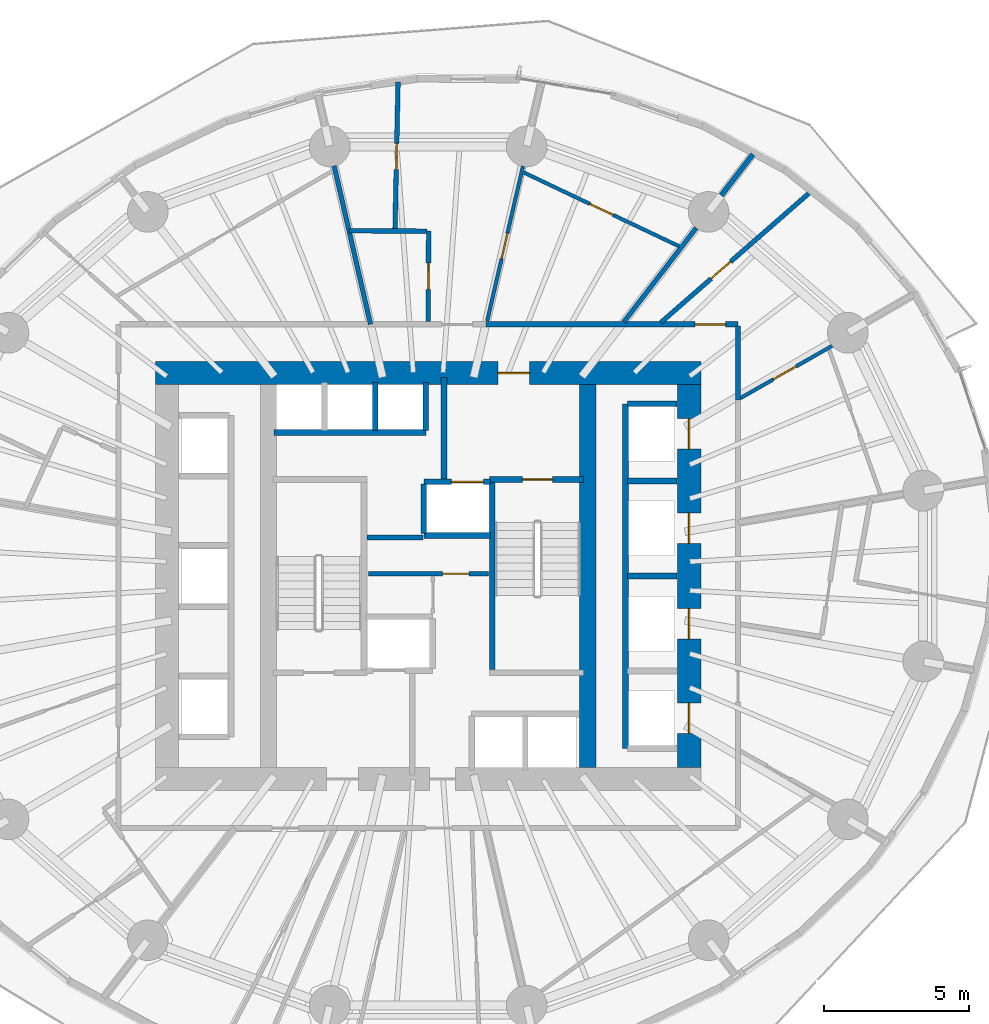
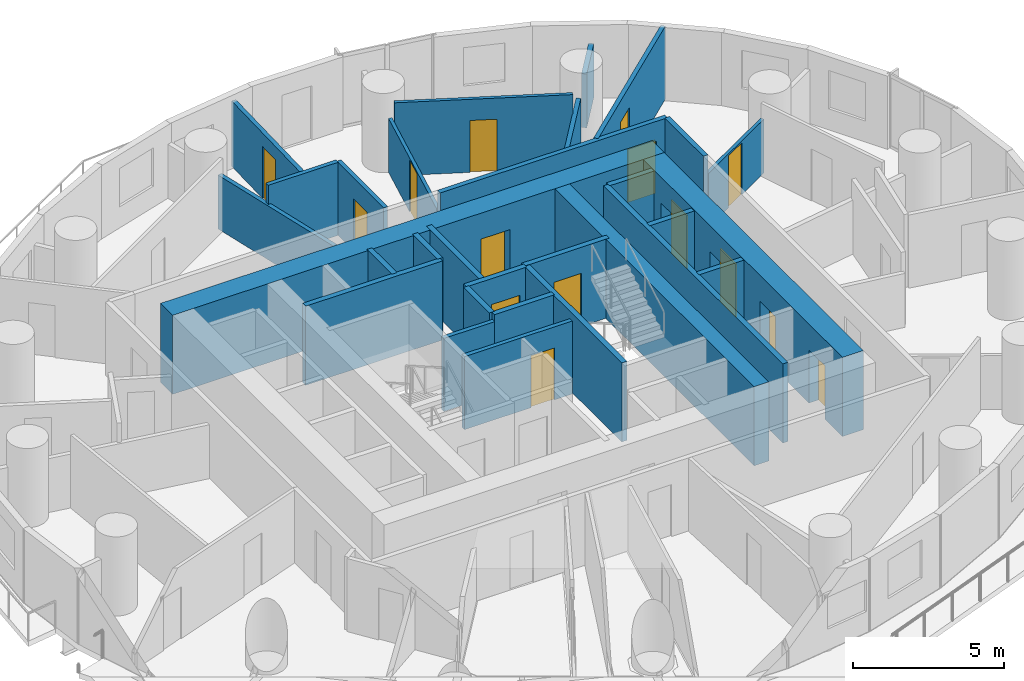
# One storey, part 7 of 13: 30 walls, 15 doors, 15 openings.
"""IFC4 building model written with IfcOpenShell, lengths in metres."""

from ifc_helpers import new_model, si_unit, direction, frame, frame_2d, origin, place, context, subcontext, project, spatial, rectangle, extrude, material, layer, layer_set, type_object, element, fill, save


model = new_model("IFC4")

# Units and contexts
model_context = context("Model", 3, precision=1e-05, world=origin(), true_north=direction((0.0, 1.0)))
body_context = subcontext(model_context, "Body", "Model", "MODEL_VIEW")
ifc_project = project(units=[si_unit("LENGTHUNIT", "METRE"), si_unit("AREAUNIT", "SQUARE_METRE"), si_unit("VOLUMEUNIT", "CUBIC_METRE"), si_unit("PLANEANGLEUNIT", "RADIAN"), si_unit("MASSUNIT", "GRAM", prefix="KILO")], contexts=[model_context])

# Site, building, storey
site_placement = place(None, origin())
site = spatial("IfcSite", under=ifc_project, at=site_placement, CompositionType="ELEMENT")
building_placement = place(site_placement, origin())
building = spatial("IfcBuilding", under=site, at=building_placement, Name="Veldorim Arch Residences", CompositionType="ELEMENT")
storey_placement = place(building_placement, frame((0.0, 0.0, 56.800048828125)))
storey = spatial("IfcBuildingStorey", under=building, at=storey_placement, Name="L16", CompositionType="ELEMENT", Elevation=56.800048828125)

# Wall, opening, door
ifc_material_1 = material(Name="Acoustic Gypsum Board", Category="gypsum")
ifc_layer_1 = layer(ifc_material_1, 0.125, Name="Acoustic Stud Room Partition Wall 125")
ifc_layer_set_1 = layer_set([ifc_layer_1], Name="Acoustic Gypsum Board")
wall_type_1 = type_object("IfcWallType", Name="Acoustic Stud Room Partition Wall 125", PredefinedType="PARTITIONING", material=ifc_layer_set_1)
wall_1_placement = place(storey_placement, frame((45.92529296875, 31.935546875, 0.0), z_axis=(0.0, 0.0, 1.0), x_axis=(-0.868837650683, -0.49509709831, 0.0)))
wall_1 = element("IfcWall", 1, at=wall_1_placement, inside=storey, type_object=wall_type_1, Name="L16 interior wall WL-RES-L16-024", PredefinedType="PARTITIONING", context=body_context, shape_type="SweptSolid", body=[
    extrude(rectangle(XDim=3.63525390625, YDim=0.125, at=frame_2d((1.817626953125, 0.0))), origin(), (0.0, 0.0, 1.0), 2.17822265625),
])
opening_1_placement = place(wall_1_placement, frame((1.42822265625, 0.0, 0.0)))
opening_1 = element("IfcOpeningElement", 2, at=opening_1_placement, cuts=wall_1, Name="Opening DR-INT", PredefinedType="OPENING", context=body_context, shape_type="SweptSolid", body=[
    extrude(rectangle(XDim=0.89990234375, YDim=2.10009765625, at=frame_2d((0.449951171875, 1.050048828125))), frame((0.0, 0.072509765625, 0.0), z_axis=(0.0, -1.0, 0.0), x_axis=(1.0, 0.0, 0.0)), (0.0, 0.0, 1.0), 0.14501953125),
])
ifc_material_2 = material(Name="Engineered Timber", Category="wood")
door_type_1 = type_object("IfcDoorType", Name="Apartment Internal Room Timber Door 900x2100", OperationType="SINGLE_SWING_LEFT", PredefinedType="DOOR", material=ifc_material_2)
door_1_placement = place(opening_1_placement, origin())
door_1 = element("IfcDoor", 3, at=door_1_placement, inside=storey, type_object=door_type_1, Name="L16 interior door DR-RES-L16-013", OperationType="SINGLE_SWING_LEFT", OverallHeight=2.10009765625, OverallWidth=0.89990234375, PredefinedType="DOOR", context=body_context, shape_type="SweptSolid", body=[
    extrude(rectangle(XDim=0.89990234375, YDim=2.10009765625, at=frame_2d((0.449951171875, 1.050048828125))), frame((0.0, 0.02490234375, 0.0), z_axis=(0.0, -1.0, 0.0), x_axis=(1.0, 0.0, 0.0)), (0.0, 0.0, 1.0), 0.050048828125),
])
fill(opening_1, door_1)

wall_2_placement = place(storey_placement, frame((35.269775390625, 38.131591796875, 0.0), z_axis=(0.0, 0.0, 1.0), x_axis=(-0.225429323741, -0.974259523945, 0.0)))
wall_2 = element("IfcWall", 4, at=wall_2_placement, inside=storey, type_object=wall_type_1, Name="L16 interior wall WL-RES-L16-028", PredefinedType="PARTITIONING", context=body_context, shape_type="SweptSolid", body=[
    extrude(rectangle(XDim=5.4755859375, YDim=0.125, at=frame_2d((2.73779296875, 0.0))), origin(), (0.0, 0.0, 1.0), 2.17822265625),
])
opening_2_placement = place(wall_2_placement, frame((2.373291015625, 0.0, 0.0)))
opening_2 = element("IfcOpeningElement", 5, at=opening_2_placement, cuts=wall_2, Name="Opening DR-INT", PredefinedType="OPENING", context=body_context, shape_type="SweptSolid", body=[
    extrude(rectangle(XDim=0.89990234375, YDim=2.10009765625, at=frame_2d((0.449951171875, 1.050048828125))), frame((0.0, 0.072509765625, 0.0), z_axis=(0.0, -1.0, 0.0), x_axis=(1.0, 0.0, 0.0)), (0.0, 0.0, 1.0), 0.14501953125),
])
door_2_placement = place(opening_2_placement, origin())
door_2 = element("IfcDoor", 6, at=door_2_placement, inside=storey, type_object=door_type_1, Name="L16 interior door DR-RES-L16-017", OperationType="SINGLE_SWING_LEFT", OverallHeight=2.10009765625, OverallWidth=0.89990234375, PredefinedType="DOOR", context=body_context, shape_type="SweptSolid", body=[
    extrude(rectangle(XDim=0.89990234375, YDim=2.10009765625, at=frame_2d((0.449951171875, 1.050048828125))), frame((0.0, 0.02490234375, 0.0), z_axis=(0.0, -1.0, 0.0), x_axis=(1.0, 0.0, 0.0)), (0.0, 0.0, 1.0), 0.050048828125),
])
fill(opening_2, door_2)

wall_3_placement = place(storey_placement, frame((35.299072265625, 37.911376953125, 0.0), z_axis=(0.0, 0.0, 1.0), x_axis=(0.903280297513, -0.429050934185, 0.0)))
wall_3 = element("IfcWall", 7, at=wall_3_placement, inside=storey, type_object=wall_type_1, Name="L16 interior wall WL-RES-L16-032", PredefinedType="PARTITIONING", context=body_context, shape_type="SweptSolid", body=[
    extrude(rectangle(XDim=5.927978515625, YDim=0.125, at=frame_2d((2.9638671875, 0.0))), origin(), (0.0, 0.0, 1.0), 2.954833984375),
])
opening_3_placement = place(wall_3_placement, frame((2.51416015625, 0.0, 0.0)))
opening_3 = element("IfcOpeningElement", 8, at=opening_3_placement, cuts=wall_3, Name="Opening DR-INT", PredefinedType="OPENING", context=body_context, shape_type="SweptSolid", body=[
    extrude(rectangle(XDim=0.89990234375, YDim=2.10009765625, at=frame_2d((0.449951171875, 1.050048828125))), frame((0.0, 0.072509765625, 0.0), z_axis=(0.0, -1.0, 0.0), x_axis=(1.0, 0.0, 0.0)), (0.0, 0.0, 1.0), 0.14501953125),
])
door_3_placement = place(opening_3_placement, origin())
door_3 = element("IfcDoor", 9, at=door_3_placement, inside=storey, type_object=door_type_1, Name="L16 interior door DR-RES-L16-018", OperationType="SINGLE_SWING_RIGHT", OverallHeight=2.10009765625, OverallWidth=0.89990234375, PredefinedType="DOOR", context=body_context, shape_type="SweptSolid", body=[
    extrude(rectangle(XDim=0.89990234375, YDim=2.10009765625, at=frame_2d((0.449951171875, 1.050048828125))), frame((0.0, 0.02490234375, 0.0), z_axis=(0.0, -1.0, 0.0), x_axis=(1.0, 0.0, 0.0)), (0.0, 0.0, 1.0), 0.050048828125),
])
fill(opening_3, door_3)

# Wall
ifc_material_3 = material(Name="Lightweight Masonry Block & Gypsum", Category="masonry")
ifc_layer_2 = layer(ifc_material_3, 0.179931640625, Name="Compartment & Corridor Fire-Rated Party Wall 180")
ifc_layer_set_2 = layer_set([ifc_layer_2], Name="Lightweight Masonry Block & Gypsum")
wall_type_2 = type_object("IfcWallType", Name="Compartment & Corridor Fire-Rated Party Wall 180", PredefinedType="PARTITIONING", material=ifc_layer_set_2)
wall_4_placement = place(storey_placement, frame((42.106201171875, 37.125732421875, 0.0), z_axis=(0.0, 0.0, 1.0), x_axis=(0.61002145357, 0.792384897752, 0.0)))
element("IfcWall", 10, at=wall_4_placement, inside=storey, type_object=wall_type_2, Name="L16 interior wall WL-PIER-L16-03", PredefinedType="PARTITIONING", context=body_context, shape_type="SweptSolid", body=[
    extrude(rectangle(XDim=1.78466796875, YDim=0.179931640625, at=frame_2d((0.892333984375, 0.0))), origin(), (0.0, 0.0, 1.0), 2.17822265625),
])

# Wall, opening, door
wall_5_placement = place(storey_placement, frame((33.98828125, 32.679931640625, 0.0), z_axis=(0.0, 0.0, 1.0), x_axis=(1.0, 0.0, 0.0)))
wall_5 = element("IfcWall", 11, at=wall_5_placement, inside=storey, type_object=wall_type_2, Name="L16 interior wall WL-RES-L16-004", PredefinedType="PARTITIONING", context=body_context, shape_type="SweptSolid", body=[
    extrude(rectangle(XDim=8.691650390625, YDim=0.179931640625, at=frame_2d((4.345703125, 0.0))), origin(), (0.0, 0.0, 1.0), 2.954833984375),
])
opening_4_placement = place(wall_5_placement, frame((7.213134765625, 0.0, 0.0)))
opening_4 = element("IfcOpeningElement", 12, at=opening_4_placement, cuts=wall_5, Name="Opening DR-FLT", PredefinedType="OPENING", context=body_context, shape_type="SweptSolid", body=[
    extrude(rectangle(XDim=1.050048828125, YDim=2.14990234375, at=frame_2d((0.52490234375, 1.074951171875))), frame((0.0, 0.099853515625, 0.0), z_axis=(0.0, -1.0, 0.0), x_axis=(1.0, 0.0, 0.0)), (0.0, 0.0, 1.0), 0.199951171875),
])
ifc_material_4 = material(Name="Fire-Rated Timber", Category="wood")
door_type_2 = type_object("IfcDoorType", Name="Apartment Entrance Solid-Core Fire Door 1050x2150", OperationType="SINGLE_SWING_LEFT", PredefinedType="DOOR", material=ifc_material_4)
door_4_placement = place(opening_4_placement, origin())
door_4 = element("IfcDoor", 13, at=door_4_placement, inside=storey, type_object=door_type_2, Name="L16 interior door DR-RES-L16-011", OperationType="SINGLE_SWING_LEFT", OverallHeight=2.14990234375, OverallWidth=1.050048828125, PredefinedType="DOOR", context=body_context, shape_type="SweptSolid", body=[
    extrude(rectangle(XDim=1.050048828125, YDim=2.14990234375, at=frame_2d((0.52490234375, 1.074951171875))), frame((0.0, 0.02490234375, 0.0), z_axis=(0.0, -1.0, 0.0), x_axis=(1.0, 0.0, 0.0)), (0.0, 0.0, 1.0), 0.050048828125),
])
fill(opening_4, door_4)

# Walls
wall_6_placement = place(storey_placement, frame((42.679931640625, 32.6201171875, 0.0), z_axis=(0.0, 0.0, 1.0), x_axis=(0.0, -1.0, 0.0)))
element("IfcWall", 14, at=wall_6_placement, inside=storey, type_object=wall_type_2, Name="L16 interior wall WL-RES-L16-005", PredefinedType="PARTITIONING", context=body_context, shape_type="SweptSolid", body=[
    extrude(rectangle(XDim=2.553955078125, YDim=0.179931640625, at=frame_2d((1.27685546875, 0.0))), origin(), (0.0, 0.0, 1.0), 2.954833984375),
])
ifc_material_5 = material(Name="Concrete C50/60", Category="concrete")
ifc_layer_3 = layer(ifc_material_5, 0.199951171875, Name="Core Stair & Lift Shaft Enclosure Wall 200")
ifc_layer_set_3 = layer_set([ifc_layer_3], Name="Concrete C50/60")
wall_type_3 = type_object("IfcWallType", Name="Core Stair & Lift Shaft Enclosure Wall 200", PredefinedType="SHEAR", material=ifc_layer_set_3)
wall_7_placement = place(storey_placement, frame((34.2099609375, 20.780029296875, 0.0), z_axis=(0.0, 0.0, 1.0), x_axis=(0.0, 1.0, 0.0)))
element("IfcWall", 15, at=wall_7_placement, inside=storey, type_object=wall_type_3, Name="L16 shaft wall WL-SHF-L16-ST2-W", PredefinedType="SHEAR", context=body_context, shape_type="SweptSolid", body=[
    extrude(rectangle(XDim=6.43994140625, YDim=0.199951171875, at=frame_2d((3.219970703125, 0.0))), origin(), (0.0, 0.0, 1.0), 3.199951171875),
])

# Wall, opening, door
wall_8_placement = place(storey_placement, frame((34.110107421875, 27.330078125, 0.0), z_axis=(0.0, 0.0, 1.0), x_axis=(1.0, 0.0, 0.0)))
wall_8 = element("IfcWall", 16, at=wall_8_placement, inside=storey, type_object=wall_type_3, Name="L16 shaft wall WL-SHF-L16-ST2-N", PredefinedType="SHEAR", context=body_context, shape_type="SweptSolid", body=[
    extrude(rectangle(XDim=3.239990234375, YDim=0.199951171875, at=frame_2d((1.6201171875, 0.0))), origin(), (0.0, 0.0, 1.0), 3.199951171875),
])
opening_5_placement = place(wall_8_placement, frame((1.135009765625, 0.0, 0.0)))
opening_5 = element("IfcOpeningElement", 17, at=opening_5_placement, cuts=wall_8, Name="Opening DR-ST", PredefinedType="OPENING", context=body_context, shape_type="SweptSolid", body=[
    extrude(rectangle(XDim=1.050048828125, YDim=2.14990234375, at=frame_2d((0.52490234375, 1.074951171875))), frame((0.0, 0.10986328125, 0.0), z_axis=(0.0, -1.0, 0.0), x_axis=(1.0, 0.0, 0.0)), (0.0, 0.0, 1.0), 0.219970703125),
])
ifc_material_6 = material(Name="Fire-Rated Steel", Category="steel")
door_type_3 = type_object("IfcDoorType", Name="Exit Staircase Self-Closing Fire Door 1050x2150", OperationType="SINGLE_SWING_LEFT", PredefinedType="DOOR", material=ifc_material_6)
door_5_placement = place(opening_5_placement, origin())
door_5 = element("IfcDoor", 18, at=door_5_placement, inside=storey, type_object=door_type_3, Name="L16 interior door DR-L16-ST2", OperationType="SINGLE_SWING_RIGHT", OverallHeight=2.14990234375, OverallWidth=1.050048828125, PredefinedType="DOOR", context=body_context, shape_type="SweptSolid", body=[
    extrude(rectangle(XDim=1.050048828125, YDim=2.14990234375, at=frame_2d((0.52490234375, 1.074951171875))), frame((0.0, 0.02490234375, 0.0), z_axis=(0.0, -1.0, 0.0), x_axis=(1.0, 0.0, 0.0)), (0.0, 0.0, 1.0), 0.050048828125),
])
fill(opening_5, door_5)

# Wall
wall_9_placement = place(storey_placement, frame((32.550048828125, 27.35009765625, 0.0), z_axis=(0.0, 0.0, 1.0), x_axis=(0.0, 1.0, 0.0)))
element("IfcWall", 19, at=wall_9_placement, inside=storey, type_object=wall_type_3, Name="L16 shaft wall WL-FFL2-L16-W", PredefinedType="SHEAR", context=body_context, shape_type="SweptSolid", body=[
    extrude(rectangle(XDim=3.5, YDim=0.199951171875, at=frame_2d((1.75, 0.0))), origin(), (0.0, 0.0, 1.0), 3.199951171875),
])

# Wall, opening, door
wall_10_placement = place(storey_placement, frame((31.85009765625, 27.25, 0.0), z_axis=(0.0, 0.0, 1.0), x_axis=(1.0, 0.0, 0.0)))
wall_10 = element("IfcWall", 20, at=wall_10_placement, inside=storey, type_object=wall_type_3, Name="L16 shaft wall WL-FL02-L16-N", PredefinedType="SHEAR", context=body_context, shape_type="SweptSolid", body=[
    extrude(rectangle(XDim=2.2998046875, YDim=0.199951171875, at=frame_2d((1.14990234375, 0.0))), origin(), (0.0, 0.0, 1.0), 3.199951171875),
])
opening_6_placement = place(wall_10_placement, frame((0.949951171875, 0.0, 0.0)))
opening_6 = element("IfcOpeningElement", 21, at=opening_6_placement, cuts=wall_10, Name="Opening LD-FF", PredefinedType="OPENING", context=body_context, shape_type="SweptSolid", body=[
    extrude(rectangle(XDim=1.10009765625, YDim=2.14990234375, at=frame_2d((0.550048828125, 1.074951171875))), frame((0.0, 0.10986328125, 0.0), z_axis=(0.0, -1.0, 0.0), x_axis=(1.0, 0.0, 0.0)), (0.0, 0.0, 1.0), 0.219970703125),
])
ifc_material_7 = material(Name="Stainless Steel", Category="steel")
door_type_4 = type_object("IfcDoorType", Name="Firefighting Lift Bi-Parting Sliding Landing Door 1100x2150", OperationType="DOUBLE_DOOR_SLIDING", PredefinedType="DOOR", material=ifc_material_7)
door_6_placement = place(opening_6_placement, origin())
door_6 = element("IfcDoor", 22, at=door_6_placement, inside=storey, type_object=door_type_4, Name="L16 lift landing door LD-L16-FL02", OperationType="DOUBLE_DOOR_SLIDING", OverallHeight=2.14990234375, OverallWidth=1.10009765625, PredefinedType="DOOR", context=body_context, shape_type="SweptSolid", body=[
    extrude(rectangle(XDim=1.10009765625, YDim=2.14990234375, at=frame_2d((0.550048828125, 1.074951171875))), frame((0.0, 0.02490234375, 0.0), z_axis=(0.0, -1.0, 0.0), x_axis=(1.0, 0.0, 0.0)), (0.0, 0.0, 1.0), 0.050048828125),
])
fill(opening_6, door_6)

# Walls
wall_11_placement = place(storey_placement, frame((31.85009765625, 25.39990234375, 0.0), z_axis=(0.0, 0.0, 1.0), x_axis=(1.0, 0.0, 0.0)))
element("IfcWall", 23, at=wall_11_placement, inside=storey, type_object=wall_type_3, Name="L16 shaft wall WL-FL02-L16-S", PredefinedType="SHEAR", context=body_context, shape_type="SweptSolid", body=[
    extrude(rectangle(XDim=2.2998046875, YDim=0.199951171875, at=frame_2d((1.14990234375, 0.0))), origin(), (0.0, 0.0, 1.0), 3.199951171875),
])
wall_12_placement = place(storey_placement, frame((31.85009765625, 25.469970703125, 0.0), z_axis=(0.0, 0.0, 1.0), x_axis=(0.0, 1.0, 0.0)))
element("IfcWall", 24, at=wall_12_placement, inside=storey, type_object=wall_type_3, Name="L16 shaft wall WL-FL02-L16-W", PredefinedType="SHEAR", context=body_context, shape_type="SweptSolid", body=[
    extrude(rectangle(XDim=1.7099609375, YDim=0.199951171875, at=frame_2d((0.85498046875, 0.0))), origin(), (0.0, 0.0, 1.0), 3.199951171875),
])
wall_13_placement = place(storey_placement, frame((38.800048828125, 18.06005859375, 0.0), z_axis=(0.0, 0.0, 1.0), x_axis=(0.0, 1.0, 0.0)))
element("IfcWall", 25, at=wall_13_placement, inside=storey, type_object=wall_type_3, Name="L16 shaft wall WL-B1-L16-W", PredefinedType="SHEAR", context=body_context, shape_type="SweptSolid", body=[
    extrude(rectangle(XDim=11.8798828125, YDim=0.199951171875, at=frame_2d((5.93994140625, 0.0))), origin(), (0.0, 0.0, 1.0), 3.199951171875),
])
for number, where, z_axis, x_axis, name in (
    (26, (38.8701171875, 29.93994140625, 0.0), (0.0, 0.0, 1.0), (1.0, 0.0, 0.0), "L16 shaft wall WL-B1-L16-N"),
    (27, (38.8701171875, 24.0, 0.0), (0.0, 0.0, 1.0), (1.0, 0.0, 0.0), "L16 shaft wall WL-B1-L16-D2"),
    (28, (38.8701171875, 27.27490234375, 0.0), (0.0, 0.0, 1.0), (1.0, 0.0, 0.0), "L16 shaft wall WL-B1-L16-D3"),
):
    element("IfcWall", number, at=place(storey_placement, frame(where, z_axis=z_axis, x_axis=x_axis)), inside=storey, type_object=wall_type_3, Name=name, PredefinedType="SHEAR", context=body_context, shape_type="SweptSolid", body=[
        extrude(rectangle(XDim=1.7099609375, YDim=0.199951171875, at=frame_2d((0.85498046875, 0.0))), origin(), (0.0, 0.0, 1.0), 3.199951171875),
    ])
wall_14_placement = place(storey_placement, frame((26.679931640625, 28.949951171875, 0.0), z_axis=(0.0, 0.0, 1.0), x_axis=(1.0, 0.0, 0.0)))
element("IfcWall", 29, at=wall_14_placement, inside=storey, type_object=wall_type_3, Name="L16 shaft wall WL-B3-L16-S", PredefinedType="SHEAR", context=body_context, shape_type="SweptSolid", body=[
    extrude(rectangle(XDim=5.239990234375, YDim=0.199951171875, at=frame_2d((2.6201171875, 0.0))), origin(), (0.0, 0.0, 1.0), 3.199951171875),
])
for number, where, z_axis, x_axis, name in (
    (30, (31.919921875, 29.02001953125, 0.0), (0.0, 0.0, 1.0), (0.0, 1.0, 0.0), "L16 shaft wall WL-B3-L16-E"),
    (31, (30.175048828125, 29.02001953125, 0.0), (0.0, 0.0, 1.0), (0.0, 1.0, 0.0), "L16 shaft wall WL-B3-L16-D2"),
):
    element("IfcWall", number, at=place(storey_placement, frame(where, z_axis=z_axis, x_axis=x_axis)), inside=storey, type_object=wall_type_3, Name=name, PredefinedType="SHEAR", context=body_context, shape_type="SweptSolid", body=[
        extrude(rectangle(XDim=1.659912109375, YDim=0.199951171875, at=frame_2d((0.830078125, 0.0))), origin(), (0.0, 0.0, 1.0), 3.199951171875),
    ])
ifc_material_8 = material(Name="Concrete C60/75", Category="concrete")
ifc_layer_4 = layer(ifc_material_8, 0.56005859375, Name="Internal Core Shear Web Wall 560")
ifc_layer_set_4 = layer_set([ifc_layer_4], Name="Concrete C60/75")
wall_type_4 = type_object("IfcWallType", Name="Internal Core Shear Web Wall 560", PredefinedType="SHEAR", material=ifc_layer_set_4)
wall_15_placement = place(storey_placement, frame((37.5, 17.39990234375, 0.0), z_axis=(0.0, 0.0, 1.0), x_axis=(0.0, 1.0, 0.0)))
element("IfcWall", 32, at=wall_15_placement, inside=storey, type_object=wall_type_4, Name="L16 core east internal shear web", PredefinedType="SHEAR", context=body_context, shape_type="SweptSolid", body=[
    extrude(rectangle(XDim=13.2001953125, YDim=0.56005859375, at=frame_2d((6.60009765625, 0.0))), origin(), (0.0, 0.0, 1.0), 3.199951171875),
])

# Wall, opening, door
ifc_material_9 = material(Name="Concrete C60/75", Category="concrete")
ifc_layer_5 = layer(ifc_material_9, 0.800048828125, Name="Lower Central Core Shear Wall 800")
ifc_layer_set_5 = layer_set([ifc_layer_5], Name="Concrete C60/75")
wall_type_5 = type_object("IfcWallType", Name="Lower Central Core Shear Wall 800", PredefinedType="SHEAR", material=ifc_layer_set_5)
wall_16_placement = place(storey_placement, frame((22.60009765625, 31.0, 0.0), z_axis=(0.0, 0.0, 1.0), x_axis=(1.0, 0.0, 0.0)))
wall_16 = element("IfcWall", 33, at=wall_16_placement, inside=storey, type_object=wall_type_5, Name="L16 central core north shear wall", PredefinedType="SHEAR", context=body_context, shape_type="SweptSolid", body=[
    extrude(rectangle(XDim=18.7998046875, YDim=0.800048828125, at=frame_2d((9.39990234375, 0.0))), origin(), (0.0, 0.0, 1.0), 3.199951171875),
])
opening_7_placement = place(wall_16_placement, frame((11.800048828125, 0.0, 0.0)))
opening_7 = element("IfcOpeningElement", 34, at=opening_7_placement, cuts=wall_16, Name="Opening DR-FFL", PredefinedType="OPENING", context=body_context, shape_type="SweptSolid", body=[
    extrude(rectangle(XDim=1.10009765625, YDim=2.14990234375, at=frame_2d((0.550048828125, 1.074951171875))), frame((0.0, 0.409912109375, 0.0), z_axis=(0.0, -1.0, 0.0), x_axis=(1.0, 0.0, 0.0)), (0.0, 0.0, 1.0), 0.820068359375),
])
ifc_material_10 = material(Name="Fire-Rated Steel & Vision Glass", Category="steel")
door_type_5 = type_object("IfcDoorType", Name="Firefighting Lobby Smoke-Stop Fire Door 1100x2150", OperationType="SINGLE_SWING_LEFT", PredefinedType="DOOR", material=ifc_material_10)
door_7_placement = place(opening_7_placement, origin())
door_7 = element("IfcDoor", 35, at=door_7_placement, inside=storey, type_object=door_type_5, Name="L16 interior door DR-L16-FFL2", OperationType="SINGLE_SWING_LEFT", OverallHeight=2.14990234375, OverallWidth=1.10009765625, PredefinedType="DOOR", context=body_context, shape_type="SweptSolid", body=[
    extrude(rectangle(XDim=1.10009765625, YDim=2.14990234375, at=frame_2d((0.550048828125, 1.074951171875))), frame((0.0, 0.02490234375, 0.0), z_axis=(0.0, -1.0, 0.0), x_axis=(1.0, 0.0, 0.0)), (0.0, 0.0, 1.0), 0.050048828125),
])
fill(opening_7, door_7)

# Wall, openings, doors
wall_17_placement = place(storey_placement, frame((41.0, 17.39990234375, 0.0), z_axis=(0.0, 0.0, 1.0), x_axis=(0.0, 1.0, 0.0)))
wall_17 = element("IfcWall", 36, at=wall_17_placement, inside=storey, type_object=wall_type_5, Name="L16 central core east shear wall", PredefinedType="SHEAR", context=body_context, shape_type="SweptSolid", body=[
    extrude(rectangle(XDim=13.2001953125, YDim=0.800048828125, at=frame_2d((6.60009765625, 0.0))), origin(), (0.0, 0.0, 1.0), 3.199951171875),
])
opening_8_placement = place(wall_17_placement, frame((1.175048828125, 0.0, 0.0)))
opening_8 = element("IfcOpeningElement", 37, at=opening_8_placement, cuts=wall_17, Name="Opening LD-PS", PredefinedType="OPENING", context=body_context, shape_type="SweptSolid", body=[
    extrude(rectangle(XDim=1.050048828125, YDim=2.14990234375, at=frame_2d((0.52490234375, 1.074951171875))), frame((0.0, 0.409912109375, 0.0), z_axis=(0.0, -1.0, 0.0), x_axis=(1.0, 0.0, 0.0)), (0.0, 0.0, 1.0), 0.820068359375),
])
opening_9_placement = place(wall_17_placement, frame((4.425048828125, 0.0, 0.0)))
opening_9 = element("IfcOpeningElement", 38, at=opening_9_placement, cuts=wall_17, Name="Opening LD-PS", PredefinedType="OPENING", context=body_context, shape_type="SweptSolid", body=[
    extrude(rectangle(XDim=1.050048828125, YDim=2.14990234375, at=frame_2d((0.52490234375, 1.074951171875))), frame((0.0, 0.409912109375, 0.0), z_axis=(0.0, -1.0, 0.0), x_axis=(1.0, 0.0, 0.0)), (0.0, 0.0, 1.0), 0.820068359375),
])
opening_10_placement = place(wall_17_placement, frame((7.72509765625, 0.0, 0.0)))
opening_10 = element("IfcOpeningElement", 39, at=opening_10_placement, cuts=wall_17, Name="Opening LD-PS", PredefinedType="OPENING", context=body_context, shape_type="SweptSolid", body=[
    extrude(rectangle(XDim=1.050048828125, YDim=2.14990234375, at=frame_2d((0.52490234375, 1.074951171875))), frame((0.0, 0.409912109375, 0.0), z_axis=(0.0, -1.0, 0.0), x_axis=(1.0, 0.0, 0.0)), (0.0, 0.0, 1.0), 0.820068359375),
])
opening_11_placement = place(wall_17_placement, frame((10.97509765625, 0.0, 0.0)))
opening_11 = element("IfcOpeningElement", 40, at=opening_11_placement, cuts=wall_17, Name="Opening LD-PS", PredefinedType="OPENING", context=body_context, shape_type="SweptSolid", body=[
    extrude(rectangle(XDim=1.050048828125, YDim=2.14990234375, at=frame_2d((0.52490234375, 1.074951171875))), frame((0.0, 0.409912109375, 0.0), z_axis=(0.0, -1.0, 0.0), x_axis=(1.0, 0.0, 0.0)), (0.0, 0.0, 1.0), 0.820068359375),
])
ifc_material_11 = material(Name="Stainless Steel", Category="steel")
door_type_6 = type_object("IfcDoorType", Name="Passenger Lift Bi-Parting Sliding Landing Door 1050x2150", OperationType="DOUBLE_DOOR_SLIDING", PredefinedType="DOOR", material=ifc_material_11)
door_8_placement = place(opening_8_placement, origin())
door_8 = element("IfcDoor", 41, at=door_8_placement, inside=storey, type_object=door_type_6, Name="L16 lift landing door LD-L16-PL-01", OperationType="DOUBLE_DOOR_SLIDING", OverallHeight=2.14990234375, OverallWidth=1.050048828125, PredefinedType="DOOR", context=body_context, shape_type="SweptSolid", body=[
    extrude(rectangle(XDim=1.050048828125, YDim=2.14990234375, at=frame_2d((0.52490234375, 1.074951171875))), frame((0.0, 0.02490234375, 0.0), z_axis=(0.0, -1.0, 0.0), x_axis=(1.0, 0.0, 0.0)), (0.0, 0.0, 1.0), 0.050048828125),
])
fill(opening_8, door_8)
door_9_placement = place(opening_9_placement, origin())
door_9 = element("IfcDoor", 42, at=door_9_placement, inside=storey, type_object=door_type_6, Name="L16 lift landing door LD-L16-PL-02", OperationType="DOUBLE_DOOR_SLIDING", OverallHeight=2.14990234375, OverallWidth=1.050048828125, PredefinedType="DOOR", context=body_context, shape_type="SweptSolid", body=[
    extrude(rectangle(XDim=1.050048828125, YDim=2.14990234375, at=frame_2d((0.52490234375, 1.074951171875))), frame((0.0, 0.02490234375, 0.0), z_axis=(0.0, -1.0, 0.0), x_axis=(1.0, 0.0, 0.0)), (0.0, 0.0, 1.0), 0.050048828125),
])
fill(opening_9, door_9)
door_10_placement = place(opening_10_placement, origin())
door_10 = element("IfcDoor", 43, at=door_10_placement, inside=storey, type_object=door_type_6, Name="L16 lift landing door LD-L16-PL-03", OperationType="DOUBLE_DOOR_SLIDING", OverallHeight=2.14990234375, OverallWidth=1.050048828125, PredefinedType="DOOR", context=body_context, shape_type="SweptSolid", body=[
    extrude(rectangle(XDim=1.050048828125, YDim=2.14990234375, at=frame_2d((0.52490234375, 1.074951171875))), frame((0.0, 0.02490234375, 0.0), z_axis=(0.0, -1.0, 0.0), x_axis=(1.0, 0.0, 0.0)), (0.0, 0.0, 1.0), 0.050048828125),
])
fill(opening_10, door_10)
door_11_placement = place(opening_11_placement, origin())
door_11 = element("IfcDoor", 44, at=door_11_placement, inside=storey, type_object=door_type_6, Name="L16 lift landing door LD-L16-PL-04", OperationType="DOUBLE_DOOR_SLIDING", OverallHeight=2.14990234375, OverallWidth=1.050048828125, PredefinedType="DOOR", context=body_context, shape_type="SweptSolid", body=[
    extrude(rectangle(XDim=1.050048828125, YDim=2.14990234375, at=frame_2d((0.52490234375, 1.074951171875))), frame((0.0, 0.02490234375, 0.0), z_axis=(0.0, -1.0, 0.0), x_axis=(1.0, 0.0, 0.0)), (0.0, 0.0, 1.0), 0.050048828125),
])
fill(opening_11, door_11)

# Wall, opening, door
ifc_material_12 = material(Name="Moisture-Resistant Gypsum & Stud", Category="gypsum")
ifc_layer_6 = layer(ifc_material_12, 0.159912109375, Name="Wet-Area Moisture-Resistant Plumbing Wall 160")
ifc_layer_set_6 = layer_set([ifc_layer_6], Name="Moisture-Resistant Gypsum & Stud")
wall_type_6 = type_object("IfcWallType", Name="Wet-Area Moisture-Resistant Plumbing Wall 160", PredefinedType="PLUMBINGWALL", material=ifc_layer_set_6)
wall_18_placement = place(storey_placement, frame((29.949951171875, 24.080078125, 0.0), z_axis=(0.0, 0.0, 1.0), x_axis=(1.0, 0.0, 0.0)))
wall_18 = element("IfcWall", 45, at=wall_18_placement, inside=storey, type_object=wall_type_6, Name="L16 interior wall WL-CA-L16-1", PredefinedType="PLUMBINGWALL", context=body_context, shape_type="SweptSolid", body=[
    extrude(rectangle(XDim=4.130126953125, YDim=0.159912109375, at=frame_2d((2.06494140625, 0.0))), origin(), (0.0, 0.0, 1.0), 2.954833984375),
])
opening_12_placement = place(wall_18_placement, frame((2.550048828125, 0.0, 0.0)))
opening_12 = element("IfcOpeningElement", 46, at=opening_12_placement, cuts=wall_18, Name="Opening DR-WC", PredefinedType="OPENING", context=body_context, shape_type="SweptSolid", body=[
    extrude(rectangle(XDim=0.89990234375, YDim=2.10009765625, at=frame_2d((0.449951171875, 1.050048828125))), frame((0.0, 0.08984375, 0.0), z_axis=(0.0, -1.0, 0.0), x_axis=(1.0, 0.0, 0.0)), (0.0, 0.0, 1.0), 0.179931640625),
])
ifc_material_13 = material(Name="Laminate Timber", Category="wood")
door_type_7 = type_object("IfcDoorType", Name="Bathroom & Accessible WC Moisture-Sealed Door 900x2100", OperationType="SINGLE_SWING_LEFT", PredefinedType="DOOR", material=ifc_material_13)
door_12_placement = place(opening_12_placement, origin())
door_12 = element("IfcDoor", 47, at=door_12_placement, inside=storey, type_object=door_type_7, Name="L16 interior door DR-L16-CA1", OperationType="SINGLE_SWING_LEFT", OverallHeight=2.10009765625, OverallWidth=0.89990234375, PredefinedType="DOOR", context=body_context, shape_type="SweptSolid", body=[
    extrude(rectangle(XDim=0.89990234375, YDim=2.10009765625, at=frame_2d((0.449951171875, 1.050048828125))), frame((0.0, 0.02490234375, 0.0), z_axis=(0.0, -1.0, 0.0), x_axis=(1.0, 0.0, 0.0)), (0.0, 0.0, 1.0), 0.050048828125),
])
fill(opening_12, door_12)

# Wall
wall_19_placement = place(storey_placement, frame((29.889892578125, 25.330078125, 0.0), z_axis=(0.0, 0.0, 1.0), x_axis=(1.0, 0.0, 0.0)))
element("IfcWall", 48, at=wall_19_placement, inside=storey, type_object=wall_type_6, Name="L16 interior wall WL-CA-L16-N", PredefinedType="PLUMBINGWALL", context=body_context, shape_type="SweptSolid", body=[
    extrude(rectangle(XDim=1.940185546875, YDim=0.159912109375, at=frame_2d((0.97021484375, 0.0))), origin(), (0.0, 0.0, 1.0), 2.954833984375),
])

# Wall, opening, door
wall_20_placement = place(storey_placement, frame((40.0283203125, 32.745849609375, 0.0), z_axis=(0.0, 0.0, 1.0), x_axis=(0.753328390337, 0.657644536442, 0.0)))
wall_20 = element("IfcWall", 49, at=wall_20_placement, inside=storey, type_object=wall_type_6, Name="L16 interior wall WL-RES-L16-023", PredefinedType="PLUMBINGWALL", context=body_context, shape_type="SweptSolid", body=[
    extrude(rectangle(XDim=6.87646484375, YDim=0.159912109375, at=frame_2d((3.438232421875, 0.0))), origin(), (0.0, 0.0, 1.0), 2.954833984375),
])
opening_13_placement = place(wall_20_placement, frame((2.288330078125, 0.0, 0.0)))
opening_13 = element("IfcOpeningElement", 50, at=opening_13_placement, cuts=wall_20, Name="Opening DR-WC", PredefinedType="OPENING", context=body_context, shape_type="SweptSolid", body=[
    extrude(rectangle(XDim=0.89990234375, YDim=2.10009765625, at=frame_2d((0.449951171875, 1.050048828125))), frame((0.0, 0.08984375, 0.0), z_axis=(0.0, -1.0, 0.0), x_axis=(1.0, 0.0, 0.0)), (0.0, 0.0, 1.0), 0.179931640625),
])
door_13_placement = place(opening_13_placement, origin())
door_13 = element("IfcDoor", 51, at=door_13_placement, inside=storey, type_object=door_type_7, Name="L16 interior door DR-RES-L16-012", OperationType="SINGLE_SWING_RIGHT", OverallHeight=2.10009765625, OverallWidth=0.89990234375, PredefinedType="DOOR", context=body_context, shape_type="SweptSolid", body=[
    extrude(rectangle(XDim=0.89990234375, YDim=2.10009765625, at=frame_2d((0.449951171875, 1.050048828125))), frame((0.0, 0.02490234375, 0.0), z_axis=(0.0, -1.0, 0.0), x_axis=(1.0, 0.0, 0.0)), (0.0, 0.0, 1.0), 0.050048828125),
])
fill(opening_13, door_13)

# Wall
wall_21_placement = place(storey_placement, frame((38.744140625, 32.75927734375, 0.0), z_axis=(0.0, 0.0, 1.0), x_axis=(0.610079741913, 0.792340020766, 0.0)))
element("IfcWall", 52, at=wall_21_placement, inside=storey, type_object=wall_type_6, Name="L16 interior wall WL-RES-L16-025", PredefinedType="PLUMBINGWALL", context=body_context, shape_type="SweptSolid", body=[
    extrude(rectangle(XDim=4.09228515625, YDim=0.159912109375, at=frame_2d((2.046142578125, 0.0))), origin(), (0.0, 0.0, 1.0), 2.17822265625),
])

# Wall, opening, door
wall_22_placement = place(storey_placement, frame((30.8564453125, 35.896484375, 0.0), z_axis=(0.0, 0.0, 1.0), x_axis=(0.020461052729, 0.999790650747, 0.0)))
wall_22 = element("IfcWall", 53, at=wall_22_placement, inside=storey, type_object=wall_type_6, Name="L16 interior wall WL-RES-L16-027", PredefinedType="PLUMBINGWALL", context=body_context, shape_type="SweptSolid", body=[
    extrude(rectangle(XDim=5.142578125, YDim=0.159912109375, at=frame_2d((2.5712890625, 0.0))), origin(), (0.0, 0.0, 1.0), 2.641357421875),
])
opening_14_placement = place(wall_22_placement, frame((2.121337890625, 0.0, 0.0)))
opening_14 = element("IfcOpeningElement", 54, at=opening_14_placement, cuts=wall_22, Name="Opening DR-WC", PredefinedType="OPENING", context=body_context, shape_type="SweptSolid", body=[
    extrude(rectangle(XDim=0.89990234375, YDim=2.10009765625, at=frame_2d((0.449951171875, 1.050048828125))), frame((0.0, 0.08984375, 0.0), z_axis=(0.0, -1.0, 0.0), x_axis=(1.0, 0.0, 0.0)), (0.0, 0.0, 1.0), 0.179931640625),
])
door_14_placement = place(opening_14_placement, origin())
door_14 = element("IfcDoor", 55, at=door_14_placement, inside=storey, type_object=door_type_7, Name="L16 interior door DR-RES-L16-016", OperationType="SINGLE_SWING_RIGHT", OverallHeight=2.10009765625, OverallWidth=0.89990234375, PredefinedType="DOOR", context=body_context, shape_type="SweptSolid", body=[
    extrude(rectangle(XDim=0.89990234375, YDim=2.10009765625, at=frame_2d((0.449951171875, 1.050048828125))), frame((0.0, 0.02490234375, 0.0), z_axis=(0.0, -1.0, 0.0), x_axis=(1.0, 0.0, 0.0)), (0.0, 0.0, 1.0), 0.050048828125),
])
fill(opening_14, door_14)

wall_23_placement = place(storey_placement, frame((32.00537109375, 32.780029296875, 0.0), z_axis=(0.0, 0.0, 1.0), x_axis=(0.003137239463, 0.999995078852, 0.0)))
wall_23 = element("IfcWall", 56, at=wall_23_placement, inside=storey, type_object=wall_type_6, Name="L16 interior wall WL-RES-L16-029", PredefinedType="PLUMBINGWALL", context=body_context, shape_type="SweptSolid", body=[
    extrude(rectangle(XDim=3.11279296875, YDim=0.159912109375, at=frame_2d((1.556396484375, 0.0))), origin(), (0.0, 0.0, 1.0), 2.954833984375),
])
opening_15_placement = place(wall_23_placement, frame((1.1064453125, 0.0, 0.0)))
opening_15 = element("IfcOpeningElement", 57, at=opening_15_placement, cuts=wall_23, Name="Opening DR-INT", PredefinedType="OPENING", context=body_context, shape_type="SweptSolid", body=[
    extrude(rectangle(XDim=0.89990234375, YDim=2.10009765625, at=frame_2d((0.449951171875, 1.050048828125))), frame((0.0, 0.08984375, 0.0), z_axis=(0.0, -1.0, 0.0), x_axis=(1.0, 0.0, 0.0)), (0.0, 0.0, 1.0), 0.179931640625),
])
door_15_placement = place(opening_15_placement, origin())
door_15 = element("IfcDoor", 58, at=door_15_placement, inside=storey, type_object=door_type_1, Name="L16 interior door DR-RES-L16-019", OperationType="SINGLE_SWING_LEFT", OverallHeight=2.10009765625, OverallWidth=0.89990234375, PredefinedType="DOOR", context=body_context, shape_type="SweptSolid", body=[
    extrude(rectangle(XDim=0.89990234375, YDim=2.10009765625, at=frame_2d((0.449951171875, 1.050048828125))), frame((0.0, 0.02490234375, 0.0), z_axis=(0.0, -1.0, 0.0), x_axis=(1.0, 0.0, 0.0)), (0.0, 0.0, 1.0), 0.050048828125),
])
fill(opening_15, door_15)

# Walls
wall_24_placement = place(storey_placement, frame((31.955078125, 35.89306640625, 0.0), z_axis=(0.0, 0.0, 1.0), x_axis=(-0.999995213607, 0.003093988285, 0.0)))
element("IfcWall", 59, at=wall_24_placement, inside=storey, type_object=wall_type_6, Name="L16 interior wall WL-RES-L16-030", PredefinedType="PLUMBINGWALL", context=body_context, shape_type="SweptSolid", body=[
    extrude(rectangle(XDim=2.682861328125, YDim=0.159912109375, at=frame_2d((1.34130859375, 0.0))), origin(), (0.0, 0.0, 1.0), 2.954833984375),
])
wall_25_placement = place(storey_placement, frame((30.01220703125, 32.680419921875, 0.0), z_axis=(0.0, 0.0, 1.0), x_axis=(-0.223714117404, 0.974654807444, 0.0)))
element("IfcWall", 60, at=wall_25_placement, inside=storey, type_object=wall_type_6, Name="L16 interior wall WL-RES-L16-031", PredefinedType="PLUMBINGWALL", context=body_context, shape_type="SweptSolid", body=[
    extrude(rectangle(XDim=5.60498046875, YDim=0.159912109375, at=frame_2d((2.802490234375, 0.0))), origin(), (0.0, 0.0, 1.0), 2.17822265625),
])

save(model, "model.ifc")
